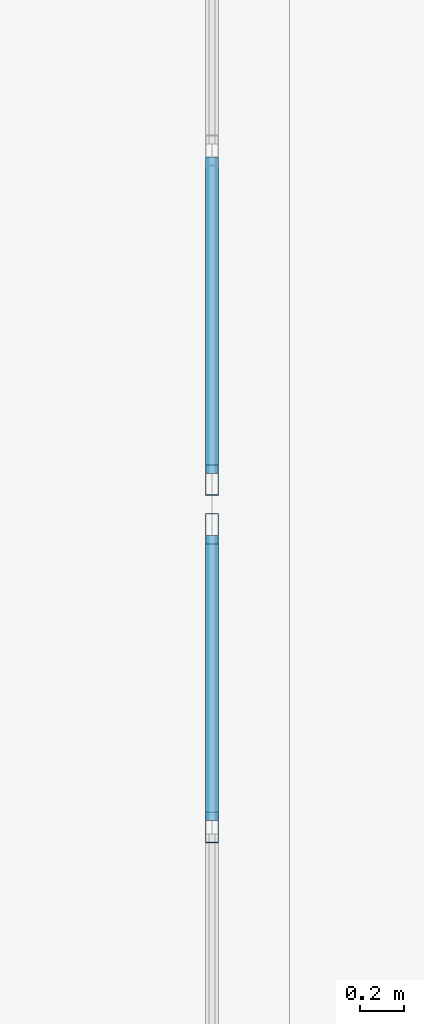
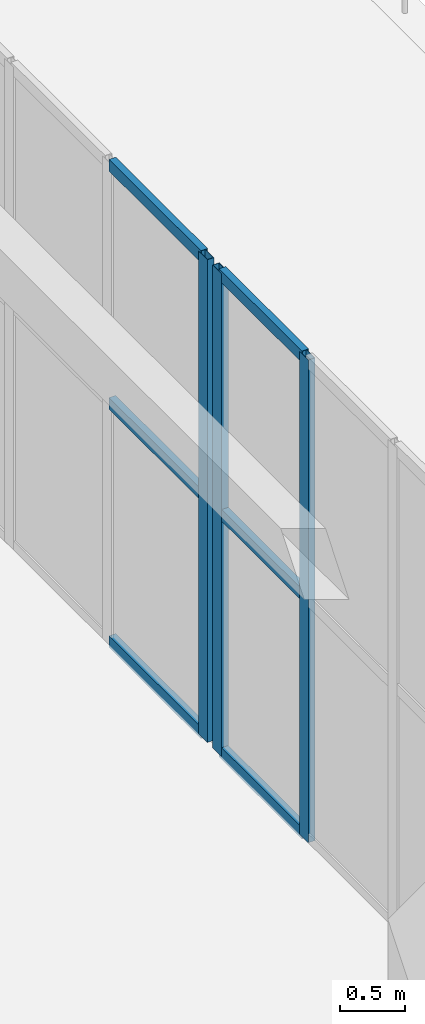
# One storey, part 50 of 158: 9 members, 2 elements without a shape of their own.
"""IFC4 building model written with IfcOpenShell, lengths in metres."""

from ifc_helpers import new_model, si_unit, direction, frame, origin, origin_2d, place, context, subcontext, project, spatial, hollow_rectangle, extrude, material, layer, layer_set, material_profile, profile_set, type_object, element, aggregate, save


model = new_model("IFC4")

# Units and contexts
model_context = context("Model", 3, precision=1e-05, world=origin(), true_north=direction((0.0, 1.0)))
body_context = subcontext(model_context, "Body", "Model", "MODEL_VIEW")
ifc_project = project(units=[si_unit("LENGTHUNIT", "METRE"), si_unit("AREAUNIT", "SQUARE_METRE"), si_unit("VOLUMEUNIT", "CUBIC_METRE"), si_unit("PLANEANGLEUNIT", "RADIAN"), si_unit("MASSUNIT", "GRAM", prefix="KILO")], contexts=[model_context])

# Site, building, storey
site_placement = place(None, origin())
site = spatial("IfcSite", under=ifc_project, at=site_placement, CompositionType="ELEMENT")
building_placement = place(site_placement, origin())
building = spatial("IfcBuilding", under=site, at=building_placement, Name="Trelvath General Hospital", CompositionType="ELEMENT")
storey_placement = place(building_placement, frame((0.0, 0.0, 8.10009765625)))
storey = spatial("IfcBuildingStorey", under=building, at=storey_placement, Name="L02", CompositionType="ELEMENT", Elevation=8.10009765625)

# Curtain wall, members
ifc_material_1 = material(Name="Anodised aluminium and low-E glass", Category="aluminium")
ifc_layer_1 = layer(ifc_material_1, 0.139892578125)
ifc_layer_set_1 = layer_set([ifc_layer_1], Name="Anodised aluminium and low-E glass")
curtain_wall_type_1 = type_object("IfcCurtainWallType", Name="CW CrystalCube 824 456 14", PredefinedType="USERDEFINED", material=ifc_layer_set_1)
curtain_wall_1_placement = place(storey_placement, origin())
curtain_wall_1 = element("IfcCurtainWall", 1, at=curtain_wall_1_placement, inside=storey, type_object=curtain_wall_type_1, Name="Crystal Cube Curtain Wall CUBE-E-T1 E2 L02", ObjectType="Unitised Glazed Curtain Wall", PredefinedType="USERDEFINED")
ifc_material_2 = material(Name="Anodised aluminium", Category="aluminium")
ifc_material_profile_1 = material_profile(ifc_material_2, hollow_rectangle(XDim=0.06005859375, YDim=0.139892578125, WallThickness=0.00390625, at=origin_2d()), Name="RHS60x140x4")
ifc_profile_set_1 = profile_set([ifc_material_profile_1], Name="Anodised aluminium")
member_type_1 = type_object("IfcMemberType", Name="CurtainMullion 60x140", PredefinedType="MULLION", material=ifc_profile_set_1)
member_1_placement = place(storey_placement, frame((114.800048828125, 50.2900390625, 0.0), z_axis=(0.0, 0.0, 1.0), x_axis=(1.0, 0.0, 0.0)))
member_1 = element("IfcMember", 2, at=member_1_placement, type_object=member_type_1, Name="CW-213 mullion 1", PredefinedType="MULLION", context=body_context, shape_type="SweptSolid", body=[
    extrude(hollow_rectangle(XDim=0.06005859375, YDim=0.139892578125, WallThickness=0.00390625, at=origin_2d()), origin(), (0.0, 0.0, 1.0), 4.559814453125),
])
member_2_placement = place(storey_placement, frame((114.800048828125, 48.94677734375, 0.0), z_axis=(0.0, 0.0, 1.0), x_axis=(1.0, 0.0, 0.0)))
member_2 = element("IfcMember", 3, at=member_2_placement, type_object=member_type_1, Name="CW-213 mullion 2", PredefinedType="MULLION", context=body_context, shape_type="SweptSolid", body=[
    extrude(hollow_rectangle(XDim=0.06005859375, YDim=0.139892578125, WallThickness=0.00390625, at=origin_2d()), origin(), (0.0, 0.0, 1.0), 4.559814453125),
])

# Curtain wall, member
ifc_material_3 = material(Name="Anodised aluminium and low-E glass", Category="aluminium")
ifc_layer_2 = layer(ifc_material_3, 0.139892578125)
ifc_layer_set_2 = layer_set([ifc_layer_2], Name="Anodised aluminium and low-E glass")
curtain_wall_type_2 = type_object("IfcCurtainWallType", Name="CW CrystalCube 454 456 14", PredefinedType="USERDEFINED", material=ifc_layer_set_2)
curtain_wall_2_placement = place(storey_placement, origin())
curtain_wall_2 = element("IfcCurtainWall", 4, at=curtain_wall_2_placement, inside=storey, type_object=curtain_wall_type_2, Name="Crystal Cube Curtain Wall CUBE-E-T1 E3 L02", ObjectType="Unitised Glazed Curtain Wall", PredefinedType="USERDEFINED")
member_3_placement = place(storey_placement, frame((114.800048828125, 50.510009765625, 0.0), z_axis=(0.0, 0.0, 1.0), x_axis=(1.0, 0.0, 0.0)))
member_3 = element("IfcMember", 5, at=member_3_placement, type_object=member_type_1, Name="CW-214 mullion 4", PredefinedType="MULLION", context=body_context, shape_type="SweptSolid", body=[
    extrude(hollow_rectangle(XDim=0.06005859375, YDim=0.139892578125, WallThickness=0.00390625, at=origin_2d()), origin(), (0.0, 0.0, 1.0), 4.559814453125),
])

# Member
ifc_material_4 = material(Name="Anodised aluminium", Category="aluminium")
ifc_material_profile_2 = material_profile(ifc_material_4, hollow_rectangle(XDim=0.06005859375, YDim=0.110107421875, WallThickness=0.00390625, at=origin_2d()), Name="RHS60x110x4")
ifc_profile_set_2 = profile_set([ifc_material_profile_2], Name="Anodised aluminium")
member_type_2 = type_object("IfcMemberType", Name="CurtainTransom 60x110", PredefinedType="USERDEFINED", material=ifc_profile_set_2)
member_4_placement = place(storey_placement, frame((114.800048828125, 50.260009765625, 0.02978515625), z_axis=(0.0, -1.0, 0.0), x_axis=(1.0, 0.0, 0.0)))
member_4 = element("IfcMember", 6, at=member_4_placement, type_object=member_type_2, Name="CW-213 transom 1.1", ObjectType="TRANSOM", PredefinedType="USERDEFINED", context=body_context, shape_type="SweptSolid", body=[
    extrude(hollow_rectangle(XDim=0.06005859375, YDim=0.110107421875, WallThickness=0.00390625, at=origin_2d()), origin(), (0.0, 0.0, 1.0), 1.283447265625),
])

member_5_placement = place(storey_placement, frame((114.800048828125, 50.260009765625, 2.27978515625), z_axis=(0.0, -1.0, 0.0), x_axis=(1.0, 0.0, 0.0)))
member_5 = element("IfcMember", 7, at=member_5_placement, type_object=member_type_2, Name="CW-213 transom 1.2", ObjectType="TRANSOM", PredefinedType="USERDEFINED", context=body_context, shape_type="SweptSolid", body=[
    extrude(hollow_rectangle(XDim=0.06005859375, YDim=0.110107421875, WallThickness=0.00390625, at=origin_2d()), origin(), (0.0, 0.0, 1.0), 1.283447265625),
])

member_6_placement = place(storey_placement, frame((114.800048828125, 50.260009765625, 4.52978515625), z_axis=(0.0, -1.0, 0.0), x_axis=(1.0, 0.0, 0.0)))
member_6 = element("IfcMember", 8, at=member_6_placement, type_object=member_type_2, Name="CW-213 transom 1.3", ObjectType="TRANSOM", PredefinedType="USERDEFINED", context=body_context, shape_type="SweptSolid", body=[
    extrude(hollow_rectangle(XDim=0.06005859375, YDim=0.110107421875, WallThickness=0.00390625, at=origin_2d()), origin(), (0.0, 0.0, 1.0), 1.283447265625),
])

aggregate(curtain_wall_1, [member_1, member_2, member_4, member_5, member_6])

member_7_placement = place(storey_placement, frame((114.800048828125, 51.96337890625, 0.02978515625), z_axis=(0.0, -1.0, 0.0), x_axis=(1.0, 0.0, 0.0)))
member_7 = element("IfcMember", 9, at=member_7_placement, type_object=member_type_2, Name="CW-214 transom 3.1", ObjectType="TRANSOM", PredefinedType="USERDEFINED", context=body_context, shape_type="SweptSolid", body=[
    extrude(hollow_rectangle(XDim=0.06005859375, YDim=0.110107421875, WallThickness=0.00390625, at=origin_2d()), origin(), (0.0, 0.0, 1.0), 1.42333984375),
])

member_8_placement = place(storey_placement, frame((114.800048828125, 51.96337890625, 2.27978515625), z_axis=(0.0, -1.0, 0.0), x_axis=(1.0, 0.0, 0.0)))
member_8 = element("IfcMember", 10, at=member_8_placement, type_object=member_type_2, Name="CW-214 transom 3.2", ObjectType="TRANSOM", PredefinedType="USERDEFINED", context=body_context, shape_type="SweptSolid", body=[
    extrude(hollow_rectangle(XDim=0.06005859375, YDim=0.110107421875, WallThickness=0.00390625, at=origin_2d()), origin(), (0.0, 0.0, 1.0), 1.42333984375),
])

member_9_placement = place(storey_placement, frame((114.800048828125, 51.96337890625, 4.52978515625), z_axis=(0.0, -1.0, 0.0), x_axis=(1.0, 0.0, 0.0)))
member_9 = element("IfcMember", 11, at=member_9_placement, type_object=member_type_2, Name="CW-214 transom 3.3", ObjectType="TRANSOM", PredefinedType="USERDEFINED", context=body_context, shape_type="SweptSolid", body=[
    extrude(hollow_rectangle(XDim=0.06005859375, YDim=0.110107421875, WallThickness=0.00390625, at=origin_2d()), origin(), (0.0, 0.0, 1.0), 1.42333984375),
])

aggregate(curtain_wall_2, [member_3, member_7, member_8, member_9])

save(model, "model.ifc")
